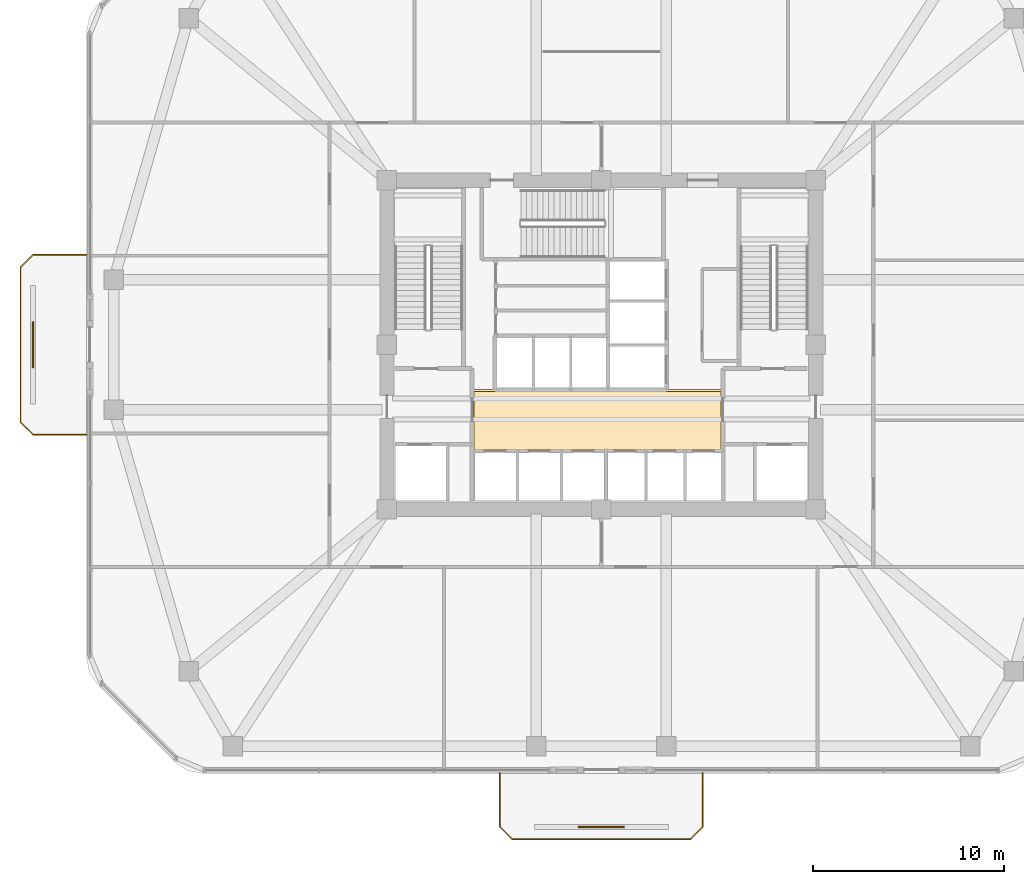
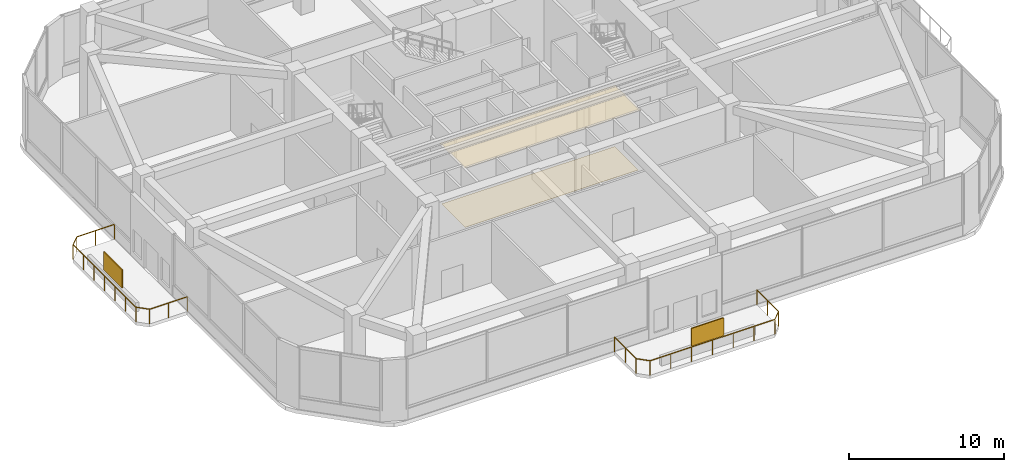
# One storey, part 11 of 13: 2 coverings, 2 railings, 2 shading devices.
"""IFC4 building model written with IfcOpenShell, lengths in metres."""

from ifc_helpers import new_model, si_unit, derived_unit, direction, frame, origin, origin_2d, place, context, subcontext, project, spatial, polyline, rectangle, outline, extrude, material, layer, layer_set, type_object, element, save


model = new_model("IFC4")

# Units and contexts
model_context = context("Model", 3, precision=1e-05, world=origin(), true_north=direction((0.0, 1.0)))
body_context = subcontext(model_context, "Body", "Model", "MODEL_VIEW")
ifc_project = project(units=[si_unit("LENGTHUNIT", "METRE"), si_unit("AREAUNIT", "SQUARE_METRE"), si_unit("VOLUMEUNIT", "CUBIC_METRE"), si_unit("PLANEANGLEUNIT", "RADIAN"), si_unit("MASSUNIT", "GRAM", prefix="KILO"), derived_unit("THERMALTRANSMITTANCEUNIT", [(si_unit("POWERUNIT", "WATT"), 1), (si_unit("LENGTHUNIT", "METRE"), -2), (si_unit("THERMODYNAMICTEMPERATUREUNIT", "KELVIN"), -1)])], contexts=[model_context])

# Site, building, storey
site_placement = place(None, origin())
site = spatial("IfcSite", under=ifc_project, at=site_placement, CompositionType="ELEMENT")
building_placement = place(site_placement, origin())
building = spatial("IfcBuilding", under=site, at=building_placement, Name="Koralith Skygarden Medical Center", CompositionType="ELEMENT")
storey_placement = place(building_placement, frame((0.0, 0.0, 75.419921875)))
storey = spatial("IfcBuildingStorey", under=building, at=storey_placement, Name="L19", CompositionType="ELEMENT", Elevation=75.419921875)

# Covering
ifc_material_1 = material(Name="Acoustic Mineral Tile")
ifc_layer_1 = layer(ifc_material_1, 0.02001953125)
ifc_layer_set_1 = layer_set([ifc_layer_1], Name="Acoustic Mineral Tile")
covering_type_1 = type_object("IfcCoveringType", Name="Acoustic Hygienic Mineral Ceiling 20", PredefinedType="CEILING", material=ifc_layer_set_1)
covering_1_placement = place(storey_placement, frame((0.0, 0.0, 4.7451171875)))
element("IfcCovering", 1, at=covering_1_placement, inside=storey, type_object=covering_type_1, Name="L19 Core Lobby Acoustic Ceiling", PredefinedType="CEILING", context=body_context, shape_type="SweptSolid", body=[
    extrude(outline(polyline([(30.25, 20.320068359375), (43.35009765625, 20.320068359375), (43.35009765625, 23.56005859375), (30.25, 23.56005859375), (30.25, 20.320068359375)])), origin(), (0.0, 0.0, 1.0), 0.02001953125),
])

# Railings
ifc_material_2 = material(Name="Steel ASTM A500 Grade C", Category="steel")
railing_type = type_object("IfcRailingType", Name="Outdoor Terrace & Balcony Safety Guardrail 1180", PredefinedType="GUARDRAIL", material=ifc_material_2)
railing_1_placement = place(storey_placement, frame((31.699951171875, 3.5, 0.0)))
element("IfcRailing", 2, at=railing_1_placement, inside=storey, type_object=railing_type, Name="L19 S Balcony Perimeter Guardrail", PredefinedType="GUARDRAIL", context=body_context, shape_type="SweptSolid", body=[
    extrude(rectangle(XDim=0.050048828125, YDim=0.050048828125, at=origin_2d()), frame((0.0, -0.001953125, 1.15478515625), z_axis=(0.0, -1.0, 0.0), x_axis=(1.0, 0.0, 0.0)), (0.0, 0.0, 1.0), 2.796142578125),
    extrude(rectangle(XDim=0.050048828125, YDim=0.050048828125, at=origin_2d()), frame((0.00146484375, -2.801513671875, 1.15478515625), z_axis=(0.707239558722, -0.706973978714, 0.0), x_axis=(0.706973978714, 0.707239558722, 0.0)), (0.0, 0.0, 1.0), 0.915283203125),
    extrude(rectangle(XDim=0.050048828125, YDim=0.050048828125, at=origin_2d()), frame((0.652099609375, -3.449951171875, 1.15478515625), z_axis=(1.0, 0.0, 0.0), x_axis=(0.0, 1.0, 0.0)), (0.0, 0.0, 1.0), 9.2958984375),
    extrude(rectangle(XDim=0.050048828125, YDim=0.050048828125, at=origin_2d()), frame((9.951416015625, -3.448486328125, 1.15478515625), z_axis=(0.707239558722, 0.706973978714, 0.0), x_axis=(-0.706973978714, 0.707239558722, 0.0)), (0.0, 0.0, 1.0), 0.915283203125),
    extrude(rectangle(XDim=0.050048828125, YDim=0.050048828125, at=origin_2d()), frame((10.60009765625, -2.798095703125, 1.15478515625), z_axis=(0.0, 1.0, 0.0), x_axis=(-1.0, 0.0, 0.0)), (0.0, 0.0, 1.0), 2.796142578125),
    extrude(rectangle(XDim=0.0419921875, YDim=0.0419921875, at=origin_2d()), origin(), (0.0, 0.0, 1.0), 1.1279296875),
    extrude(rectangle(XDim=0.0419921875, YDim=0.0419921875, at=origin_2d()), frame((0.0, -1.39990234375, 0.0)), (0.0, 0.0, 1.0), 1.1279296875),
    extrude(rectangle(XDim=0.0419921875, YDim=0.0419921875, at=origin_2d()), frame((0.0, -2.800048828125, 0.0)), (0.0, 0.0, 1.0), 1.1279296875),
    extrude(rectangle(XDim=0.0419921875, YDim=0.0419921875, at=origin_2d()), frame((0.650146484375, -3.449951171875, 0.0)), (0.0, 0.0, 1.0), 1.1279296875),
    extrude(rectangle(XDim=0.0419921875, YDim=0.0419921875, at=origin_2d()), frame((2.2001953125, -3.449951171875, 0.0)), (0.0, 0.0, 1.0), 1.1279296875),
    extrude(rectangle(XDim=0.0419921875, YDim=0.0419921875, at=origin_2d()), frame((3.75, -3.449951171875, 0.0)), (0.0, 0.0, 1.0), 1.1279296875),
    extrude(rectangle(XDim=0.0419921875, YDim=0.0419921875, at=origin_2d()), frame((5.300048828125, -3.449951171875, 0.0)), (0.0, 0.0, 1.0), 1.1279296875),
    extrude(rectangle(XDim=0.0419921875, YDim=0.0419921875, at=origin_2d()), frame((6.85009765625, -3.449951171875, 0.0)), (0.0, 0.0, 1.0), 1.1279296875),
    extrude(rectangle(XDim=0.0419921875, YDim=0.0419921875, at=origin_2d()), frame((8.39990234375, -3.449951171875, 0.0)), (0.0, 0.0, 1.0), 1.1279296875),
    extrude(rectangle(XDim=0.0419921875, YDim=0.0419921875, at=origin_2d()), frame((9.949951171875, -3.449951171875, 0.0)), (0.0, 0.0, 1.0), 1.1279296875),
    extrude(rectangle(XDim=0.0419921875, YDim=0.0419921875, at=origin_2d()), frame((10.60009765625, -2.800048828125, 0.0)), (0.0, 0.0, 1.0), 1.1279296875),
    extrude(rectangle(XDim=0.0419921875, YDim=0.0419921875, at=origin_2d()), frame((10.60009765625, -1.39990234375, 0.0)), (0.0, 0.0, 1.0), 1.1279296875),
    extrude(rectangle(XDim=0.0419921875, YDim=0.0419921875, at=origin_2d()), frame((10.60009765625, 0.0, 0.0)), (0.0, 0.0, 1.0), 1.1279296875),
])
railing_2_placement = place(storey_placement, frame((10.10009765625, 21.199951171875, 0.0)))
element("IfcRailing", 3, at=railing_2_placement, inside=storey, type_object=railing_type, Name="L19 W Balcony Perimeter Guardrail", PredefinedType="GUARDRAIL", context=body_context, shape_type="SweptSolid", body=[
    extrude(rectangle(XDim=0.050048828125, YDim=0.050048828125, at=origin_2d()), frame((-0.001953125, 0.0, 1.15478515625), z_axis=(-1.0, 0.0, 0.0), x_axis=(0.0, -1.0, 0.0)), (0.0, 0.0, 1.0), 2.796142578125),
    extrude(rectangle(XDim=0.050048828125, YDim=0.050048828125, at=origin_2d()), frame((-2.801513671875, 0.00146484375, 1.15478515625), z_axis=(-0.707106781187, 0.707106781187, 0.0), x_axis=(-0.707106781187, -0.707106781187, 0.0)), (0.0, 0.0, 1.0), 0.91552734375),
    extrude(rectangle(XDim=0.050048828125, YDim=0.050048828125, at=origin_2d()), frame((-3.4501953125, 0.652099609375, 1.15478515625), z_axis=(0.0, 1.0, 0.0), x_axis=(-1.0, 0.0, 0.0)), (0.0, 0.0, 1.0), 8.095947265625),
    extrude(rectangle(XDim=0.050048828125, YDim=0.050048828125, at=origin_2d()), frame((-3.44873046875, 8.75146484375, 1.15478515625), z_axis=(0.707106781187, 0.707106781187, 0.0), x_axis=(-0.707106781187, 0.707106781187, 0.0)), (0.0, 0.0, 1.0), 0.91552734375),
    extrude(rectangle(XDim=0.050048828125, YDim=0.050048828125, at=origin_2d()), frame((-2.798095703125, 9.400146484375, 1.15478515625), z_axis=(1.0, 0.0, 0.0), x_axis=(0.0, 1.0, 0.0)), (0.0, 0.0, 1.0), 2.796142578125),
    extrude(rectangle(XDim=0.0419921875, YDim=0.0419921875, at=origin_2d()), origin(), (0.0, 0.0, 1.0), 1.1279296875),
    extrude(rectangle(XDim=0.0419921875, YDim=0.0419921875, at=origin_2d()), frame((-1.39990234375, 0.0, 0.0)), (0.0, 0.0, 1.0), 1.1279296875),
    extrude(rectangle(XDim=0.0419921875, YDim=0.0419921875, at=origin_2d()), frame((-2.800048828125, 0.0, 0.0)), (0.0, 0.0, 1.0), 1.1279296875),
    extrude(rectangle(XDim=0.0419921875, YDim=0.0419921875, at=origin_2d()), frame((-3.4501953125, 0.650146484375, 0.0)), (0.0, 0.0, 1.0), 1.1279296875),
    extrude(rectangle(XDim=0.0419921875, YDim=0.0419921875, at=origin_2d()), frame((-3.4501953125, 2.0, 0.0)), (0.0, 0.0, 1.0), 1.1279296875),
    extrude(rectangle(XDim=0.0419921875, YDim=0.0419921875, at=origin_2d()), frame((-3.4501953125, 3.35009765625, 0.0)), (0.0, 0.0, 1.0), 1.1279296875),
    extrude(rectangle(XDim=0.0419921875, YDim=0.0419921875, at=origin_2d()), frame((-3.4501953125, 4.7001953125, 0.0)), (0.0, 0.0, 1.0), 1.1279296875),
    extrude(rectangle(XDim=0.0419921875, YDim=0.0419921875, at=origin_2d()), frame((-3.4501953125, 6.050048828125, 0.0)), (0.0, 0.0, 1.0), 1.1279296875),
    extrude(rectangle(XDim=0.0419921875, YDim=0.0419921875, at=origin_2d()), frame((-3.4501953125, 7.39990234375, 0.0)), (0.0, 0.0, 1.0), 1.1279296875),
    extrude(rectangle(XDim=0.0419921875, YDim=0.0419921875, at=origin_2d()), frame((-3.4501953125, 8.75, 0.0)), (0.0, 0.0, 1.0), 1.1279296875),
    extrude(rectangle(XDim=0.0419921875, YDim=0.0419921875, at=origin_2d()), frame((-2.800048828125, 9.400146484375, 0.0)), (0.0, 0.0, 1.0), 1.1279296875),
    extrude(rectangle(XDim=0.0419921875, YDim=0.0419921875, at=origin_2d()), frame((-1.39990234375, 9.400146484375, 0.0)), (0.0, 0.0, 1.0), 1.1279296875),
    extrude(rectangle(XDim=0.0419921875, YDim=0.0419921875, at=origin_2d()), frame((0.0, 9.400146484375, 0.0)), (0.0, 0.0, 1.0), 1.1279296875),
])

# Shading devices
ifc_material_3 = material(Name="Aluminium 6063-T6", Category="aluminium")
ifc_layer_2 = layer(ifc_material_3, 0.080078125)
ifc_layer_set_2 = layer_set([ifc_layer_2], Name="Aluminium 6063-T6")
shading_device_type = type_object("IfcShadingDeviceType", Name="Perforated Biophilic Balcony Trellis Screen", PredefinedType="USERDEFINED", material=ifc_layer_set_2)
for number, where, z_axis, x_axis, name in (
    (4, (37.0, 0.699951171875, 0.72021484375), (0.0, 0.0, 1.0), (1.0, 0.0, 0.0), "L19 S Biophilic Balcony Trellis Screen"),
    (5, (7.300048828125, 25.89990234375, 0.72021484375), (0.0, 0.0, 1.0), (0.0, 1.0, 0.0), "L19 W Biophilic Balcony Trellis Screen"),
):
    element("IfcShadingDevice", number, at=place(storey_placement, frame(where, z_axis=z_axis, x_axis=x_axis)), inside=storey, type_object=shading_device_type, Name=name, ObjectType="HURRICANE SCREEN", PredefinedType="USERDEFINED", context=body_context, shape_type="SweptSolid", body=[
        extrude(rectangle(XDim=2.39990234375, YDim=0.080078125, at=origin_2d()), origin(), (0.0, 0.0, 1.0), 1.39990234375),
    ])

# Covering
ifc_material_4 = material(Name="Medical Terrazzo Flooring")
ifc_layer_3 = layer(ifc_material_4, 0.014892578125)
ifc_layer_set_3 = layer_set([ifc_layer_3], Name="Medical Terrazzo Flooring")
covering_type_2 = type_object("IfcCoveringType", Name="Seamless Antimicrobial Terrazzo Flooring 15", PredefinedType="FLOORING", material=ifc_layer_set_3)
covering_2_placement = place(storey_placement, origin())
element("IfcCovering", 6, at=covering_2_placement, inside=storey, type_object=covering_type_2, Name="L19 Core Lobby Terrazzo Flooring", PredefinedType="FLOORING", context=body_context, shape_type="SweptSolid", body=[
    extrude(outline(polyline([(30.35009765625, 20.419921875), (43.25, 20.419921875), (43.25, 23.4599609375), (30.35009765625, 23.4599609375), (30.35009765625, 20.419921875)])), origin(), (0.0, 0.0, 1.0), 0.01513671875),
])

save(model, "model.ifc")
